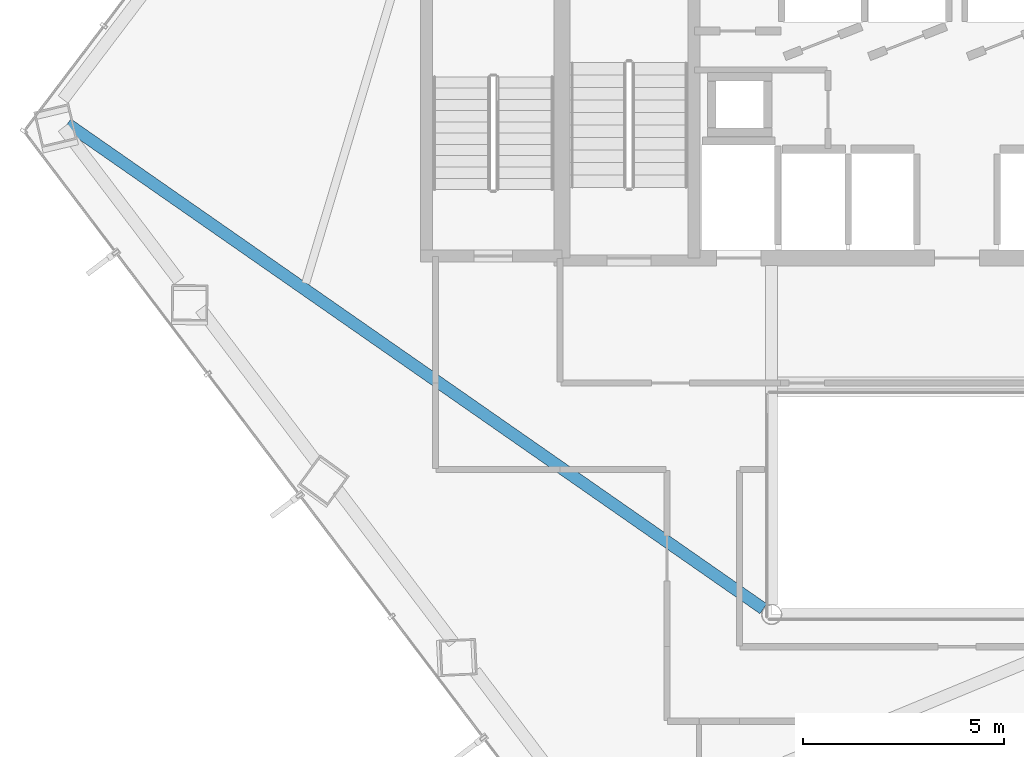
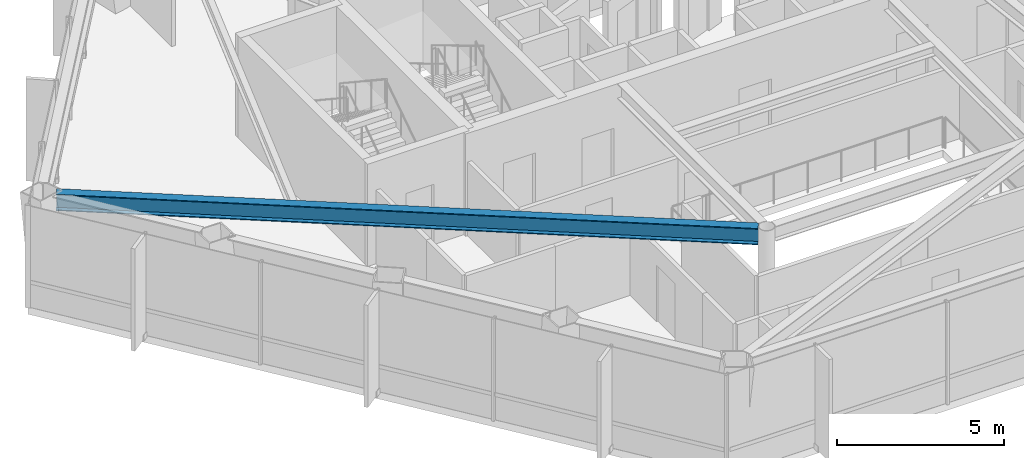
# One storey, part 5 of 25: 1 beam.
"""IFC4 building model written with IfcOpenShell, lengths in metres."""

import ifcopenshell
import ifcopenshell.guid

model = None  # the IFC model being written
_history = None  # IfcOwnerHistory: only IFC2X3 demands one
_inside = {}  # id of a spatial element -> (the spatial element, [elements in it])
_under = {}  # id of a project, library or spatial element -> (it, [spatial elements below it])
_declared = {}  # id of a project -> (the project, [libraries it declares])
_typed = {}  # id of a type object -> (the type object, [elements of that type])
_made_of = {}  # id of a material, layer set ... -> (it, [elements and type objects made of it])


def new_model(schema):
    """Start an empty IFC model of exactly this schema.

    Asked for "IFC4X3", IfcOpenShell would pick the latest addendum, in which some entities
    have other attributes; the version numbers below select the first issue.
    IFC2X3 requires an IfcOwnerHistory on every rooted entity: one is made here for all.
    """
    global model, _history
    if schema == "IFC4X3":
        model = ifcopenshell.file(schema_version=(4, 3, 0, 0))
    else:
        model = ifcopenshell.file(schema=schema)
    _inside.clear()
    _under.clear()
    _declared.clear()
    _typed.clear()
    _made_of.clear()
    _history = None
    if model.schema == "IFC2X3":
        org = make("IfcOrganization", Name="unknown")
        user = make(
            "IfcPersonAndOrganization",
            ThePerson=make("IfcPerson", FamilyName="unknown"),
            TheOrganization=org,
        )
        app = make(
            "IfcApplication",
            ApplicationDeveloper=org,
            Version="unknown",
            ApplicationFullName="unknown",
            ApplicationIdentifier="unknown",
        )
        _history = make(
            "IfcOwnerHistory",
            OwningUser=user,
            OwningApplication=app,
            ChangeAction="ADDED",
            CreationDate=0,
        )
    return model


def make(cls, **values):
    """One entity of the class cls with the attributes given. An attribute that is None is left unset."""
    return model.create_entity(
        cls, **{name: value for name, value in values.items() if value is not None}
    )


def rooted(cls, **values):
    """An entity with a GlobalId (a new one), such as an element, a storey or a relation."""
    return make(cls, GlobalId=ifcopenshell.guid.new(), OwnerHistory=_history, **values)


def si_unit(unit_type, name, prefix=None):
    """IfcSIUnit, for example si_unit("LENGTHUNIT", "METRE", prefix="MILLI")."""
    return make("IfcSIUnit", UnitType=unit_type, Prefix=prefix, Name=name)


def assignment(units):
    """IfcUnitAssignment: the units of a project."""
    return None if units is None else make("IfcUnitAssignment", Units=units)


def point(xyz):
    """IfcCartesianPoint."""
    return None if xyz is None else make("IfcCartesianPoint", Coordinates=xyz)


def direction(xyz):
    """IfcDirection."""
    return None if xyz is None else make("IfcDirection", DirectionRatios=xyz)


def frame(location, z_axis=None, x_axis=None):
    """IfcAxis2Placement3D, a coordinate frame: its origin and axes. An axis left out is left unset."""
    return make(
        "IfcAxis2Placement3D",
        Location=point(location),
        Axis=direction(z_axis),
        RefDirection=direction(x_axis),
    )


def frame_2d(location, x_axis=None):
    """IfcAxis2Placement2D, a coordinate frame in the plane: its origin and x axis."""
    return make(
        "IfcAxis2Placement2D", Location=point(location), RefDirection=direction(x_axis)
    )


def origin():
    """The frame at (0, 0, 0) with its axes left unset."""
    return frame((0.0, 0.0, 0.0))


def origin_2d():
    """The frame at (0, 0) in the plane with its x axis left unset."""
    return frame_2d((0.0, 0.0))


def place(relative_to, where):
    """IfcLocalPlacement: puts the frame where relative to a parent placement (None: the world)."""
    return make(
        "IfcLocalPlacement", PlacementRelTo=relative_to, RelativePlacement=where
    )


def context(
    kind, dimensions, precision=None, world=None, true_north=None, identifier=None
):
    """IfcGeometricRepresentationContext, for example the 3D "Model" context."""
    return make(
        "IfcGeometricRepresentationContext",
        ContextIdentifier=identifier,
        ContextType=kind,
        CoordinateSpaceDimension=dimensions,
        Precision=precision,
        WorldCoordinateSystem=world,
        TrueNorth=true_north,
    )


def subcontext(parent, identifier, kind, view, scale=None):
    """IfcGeometricRepresentationSubContext, for example "Body" below "Model"."""
    return make(
        "IfcGeometricRepresentationSubContext",
        ContextIdentifier=identifier,
        ContextType=kind,
        ParentContext=parent,
        TargetScale=scale,
        TargetView=view,
    )


def project(units=None, contexts=None):
    """IfcProject with its units and contexts."""
    return rooted(
        "IfcProject",
        Name="project",
        RepresentationContexts=contexts,
        UnitsInContext=assignment(units),
    )


def spatial(cls, under=None, at=None, **own):
    """A site, building, storey or space (cls), placed at a placement, below another one or the project."""
    s = rooted(cls, ObjectPlacement=at, **own)
    if under is not None:
        _under.setdefault(under.id(), (under, []))[1].append(s)
    return s


def profile(cls, at=None, kind="AREA", **sizes):
    """A parametric profile (cls). Its sizes go by their IFC names, for example OverallWidth=200.0."""
    return make(cls, ProfileType=kind, Position=at, **sizes)


def i_section(**sizes):
    """IfcIShapeProfileDef."""
    return profile("IfcIShapeProfileDef", **sizes)


def extrude(swept, where, along, depth):
    """IfcExtrudedAreaSolid: the profile swept, set in the frame where, extruded along a direction by depth."""
    return make(
        "IfcExtrudedAreaSolid",
        SweptArea=swept,
        Position=where,
        ExtrudedDirection=direction(along),
        Depth=depth,
    )


def shape(context_of_items, identifier, shape_type, items):
    """IfcShapeRepresentation: the items that make up one representation, for example the "Body"."""
    return make(
        "IfcShapeRepresentation",
        ContextOfItems=context_of_items,
        RepresentationIdentifier=identifier,
        RepresentationType=shape_type,
        Items=items,
    )


def material(Name=None, Category=None):
    """IfcMaterial."""
    return make("IfcMaterial", Name=Name, Category=Category)


def material_profile(
    of_material, cross_section, Name=None, Category=None, Priority=None
):
    """IfcMaterialProfile: a cross section and its material."""
    return make(
        "IfcMaterialProfile",
        Name=Name,
        Material=of_material,
        Profile=cross_section,
        Priority=Priority,
        Category=Category,
    )


def profile_set(profiles, Name=None, composite=None):
    """IfcMaterialProfileSet."""
    return make(
        "IfcMaterialProfileSet",
        Name=Name,
        MaterialProfiles=profiles,
        CompositeProfile=composite,
    )


def made_of(thing, what):
    """Note that an element or type object is made of a material, layer set ...; save() writes the relation."""
    if what is not None:
        _made_of.setdefault(what.id(), (what, []))[1].append(thing)
    return thing


def type_object(cls, material=None, **own):
    """A type object (cls), such as IfcWallType, which elements share."""
    return made_of(rooted(cls, **own), material)


def element(
    cls,
    number,
    at=None,
    inside=None,
    cuts=None,
    type_object=None,
    material=None,
    context=None,
    identifier="Body",
    shape_type=None,
    held_by="IfcProductDefinitionShape",
    body=None,
    shapes=None,
    **own,
):
    """One element of the class cls, such as IfcWall. Its Tag is "e" and its number.

    at: its placement. inside: the storey or other place that contains it. cuts: it is an
    opening in that element (IfcRelVoidsElement). A single representation is given by context,
    identifier, shape_type and body (its items); several are given by shapes. held_by: the class
    of the entity that holds the representations. save() writes the other relations.
    """
    e = rooted(cls, Tag="e%d" % number, ObjectPlacement=at, **own)
    if body is not None:
        shapes = [shape(context, identifier, shape_type, body)]
    if shapes is not None:
        e.Representation = make(held_by, Representations=shapes)
    if inside is not None:
        _inside.setdefault(inside.id(), (inside, []))[1].append(e)
    if cuts is not None:
        rooted(
            "IfcRelVoidsElement", RelatingBuildingElement=cuts, RelatedOpeningElement=e
        )
    if type_object is not None:
        _typed.setdefault(type_object.id(), (type_object, []))[1].append(e)
    return made_of(e, material)


def aggregate(whole, parts):
    """IfcRelAggregates: a whole, such as a stair, and the parts it consists of."""
    return rooted("IfcRelAggregates", RelatingObject=whole, RelatedObjects=parts)


def save(model, path):
    """Write the relations noted so far, then the file.

    IfcRelAggregates (storeys below a building ...), IfcRelContainedInSpatialStructure (elements
    in a storey), IfcRelDefinesByType, IfcRelAssociatesMaterial and IfcRelDeclares: one each for
    every whole, place, type object, material and project.
    """
    for whole, parts in _under.values():
        aggregate(whole, parts)
    for where, things in _inside.values():
        rooted(
            "IfcRelContainedInSpatialStructure",
            RelatedElements=things,
            RelatingStructure=where,
        )
    for kind, things in _typed.values():
        rooted("IfcRelDefinesByType", RelatedObjects=things, RelatingType=kind)
    for what, things in _made_of.values():
        rooted("IfcRelAssociatesMaterial", RelatedObjects=things, RelatingMaterial=what)
    for by, libraries in _declared.values():
        rooted("IfcRelDeclares", RelatingContext=by, RelatedDefinitions=libraries)
    model.write(path)


model = new_model("IFC4")

# Units and contexts
model_context = context("Model", 3, precision=1e-05, world=origin(), true_north=direction((0.0, 1.0)))
body_context = subcontext(model_context, "Body", "Model", "MODEL_VIEW")
ifc_project = project(units=[si_unit("LENGTHUNIT", "METRE"), si_unit("AREAUNIT", "SQUARE_METRE"), si_unit("VOLUMEUNIT", "CUBIC_METRE"), si_unit("PLANEANGLEUNIT", "RADIAN"), si_unit("MASSUNIT", "GRAM", prefix="KILO")], contexts=[model_context])

# Site, building, storey
site_placement = place(None, origin())
site = spatial("IfcSite", under=ifc_project, at=site_placement, CompositionType="ELEMENT")
building_placement = place(site_placement, origin())
building = spatial("IfcBuilding", under=site, at=building_placement, Name="Zarrinselat Tower", CompositionType="ELEMENT")
storey_placement = place(building_placement, frame((0.0, 0.0, 105.06005859375)))
storey = spatial("IfcBuildingStorey", under=building, at=storey_placement, Name="L25", CompositionType="ELEMENT", Elevation=105.06005859375)

# Beam
ifc_material = material(Name="Steel S355J2", Category="steel")
ifc_material_profile = material_profile(ifc_material, i_section(OverallWidth=0.300048828125, OverallDepth=0.60009765625, WebThickness=0.015380859375, FlangeThickness=0.030029296875, at=origin_2d()), Name="HEB 600")
ifc_profile_set = profile_set([ifc_material_profile], Name="Steel S355J2")
beam_type = type_object("IfcBeamType", Name="BM-HEB600", PredefinedType="BEAM", material=ifc_profile_set)
beam_placement = place(storey_placement, frame((16.317626953125, 36.57958984375, 3.429931640625), z_axis=(0.820513191361, -0.571627591009, 0.0), x_axis=(0.571627591009, 0.820513191361, 0.0)))
element("IfcBeam", 1, at=beam_placement, inside=storey, type_object=beam_type, Name="L25 Radial Primary Girder RG06", PredefinedType="BEAM", context=body_context, shape_type="SweptSolid", body=[
    extrude(i_section(OverallWidth=0.300048828125, OverallDepth=0.60009765625, WebThickness=0.015380859375, FlangeThickness=0.030029296875, at=origin_2d()), origin(), (0.0, 0.0, 1.0), 21.056640625),
])

save(model, "model.ifc")
